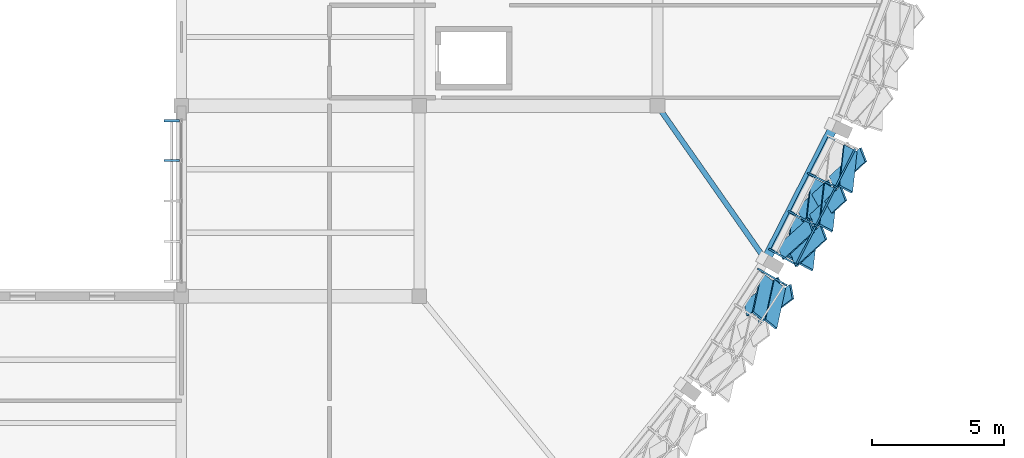
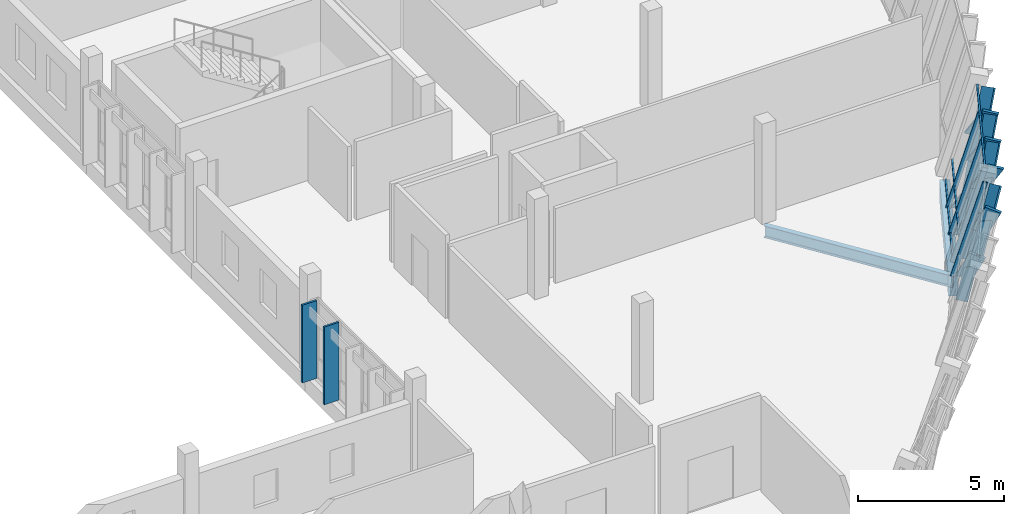
# One storey, part 55 of 94: 23 members, 2 beams, 3 elements without a shape of their own.
"""IFC4 building model written with IfcOpenShell, lengths in metres."""

from ifc_helpers import new_model, si_unit, direction, frame, origin, origin_2d, place, context, subcontext, project, spatial, rectangle, hollow_rectangle, i_section, extrude, material, material_profile, profile_set, type_object, element, aggregate, save


model = new_model("IFC4")

# Units and contexts
model_context = context("Model", 3, precision=1e-05, world=origin(), true_north=direction((0.0, 1.0)))
body_context = subcontext(model_context, "Body", "Model", "MODEL_VIEW")
ifc_project = project(units=[si_unit("LENGTHUNIT", "METRE"), si_unit("AREAUNIT", "SQUARE_METRE"), si_unit("VOLUMEUNIT", "CUBIC_METRE"), si_unit("PLANEANGLEUNIT", "RADIAN"), si_unit("MASSUNIT", "GRAM", prefix="KILO")], contexts=[model_context])

# Site, building, storey
site_placement = place(None, origin())
site = spatial("IfcSite", under=ifc_project, at=site_placement, CompositionType="ELEMENT")
building_placement = place(site_placement, origin())
building = spatial("IfcBuilding", under=site, at=building_placement, Name="Chiffa Square Polytechnic", CompositionType="ELEMENT")
storey_placement = place(building_placement, frame((0.0, 0.0, 18.0)))
storey = spatial("IfcBuildingStorey", under=building, at=storey_placement, Name="L04", CompositionType="ELEMENT", Elevation=18.0)

# Beam
ifc_material_1 = material(Name="Steel S355", Category="steel")
ifc_material_profile_1 = material_profile(ifc_material_1, i_section(OverallWidth=0.199951171875, OverallDepth=0.5, WebThickness=0.01025390625, FlangeThickness=0.01611328125, FilletRadius=0.02099609375, at=origin_2d()), Name="IPE 500")
ifc_profile_set_1 = profile_set([ifc_material_profile_1], Name="Steel S355")
beam_type_1 = type_object("IfcBeamType", Name="BM-STL-IPE500", PredefinedType="BEAM", material=ifc_profile_set_1)
beam_1_placement = place(storey_placement, frame((170.2919921875, 30.162109375, -0.489990234375), z_axis=(-0.573981650994, 0.818868160525, 0.0), x_axis=(-0.818868160525, -0.573981650994, 0.0)))
element("IfcBeam", 1, at=beam_1_placement, inside=storey, type_object=beam_type_1, Name="Prow radial tie girder BM-V1-RAD-L04-13", PredefinedType="BEAM", context=body_context, shape_type="SweptSolid", body=[
    extrude(i_section(OverallWidth=0.199951171875, OverallDepth=0.5, WebThickness=0.01025390625, FlangeThickness=0.01611328125, FilletRadius=0.02099609375, at=origin_2d()), origin(), (0.0, 0.0, 1.0), 7.129150390625),
])

# Curtain wall, member
ifc_material_2 = material(Name="Aluminium EN AW-6060 T66 and glulam shading", Category="wood")
curtain_wall_type_1 = type_object("IfcCurtainWallType", Name="CW-PROW-LEAN-300", PredefinedType="USERDEFINED", material=ifc_material_2)
curtain_wall_1_placement = place(storey_placement, origin())
curtain_wall_1 = element("IfcCurtainWall", 2, at=curtain_wall_1_placement, inside=storey, type_object=curtain_wall_type_1, Name="Outward-leaning diamond-fin prow curtain wall CW-V1-L04-072", ObjectType="CURTAIN WALL", PredefinedType="USERDEFINED")
ifc_material_3 = material(Name="Aluminium EN AW-6060 T66", Category="aluminium")
ifc_material_profile_2 = material_profile(ifc_material_3, hollow_rectangle(XDim=0.06494140625, YDim=0.179931640625, WallThickness=0.00390625, at=origin_2d()), Name="ALU 65x180x4")
ifc_profile_set_2 = profile_set([ifc_material_profile_2], Name="Aluminium EN AW-6060 T66")
member_type_1 = type_object("IfcMemberType", Name="CWM-ALU-75X180", PredefinedType="MULLION", material=ifc_profile_set_2)
member_1_placement = place(storey_placement, frame((170.05810546875, 29.801025390625, 0.0), z_axis=(0.235639542054, -0.136303641988, 0.96223454698), x_axis=(0.500708140311, 0.865616172577, 0.0)))
member_1 = element("IfcMember", 3, at=member_1_placement, type_object=member_type_1, Name="Leaning prow mullion CW-V1-L04-072-M03", PredefinedType="MULLION", context=body_context, shape_type="SweptSolid", body=[
    extrude(hollow_rectangle(XDim=0.06494140625, YDim=0.179931640625, WallThickness=0.00390625, at=origin_2d()), origin(), (0.0, 0.0, 1.0), 4.094482421875),
])

# Curtain wall, members
curtain_wall_type_2 = type_object("IfcCurtainWallType", Name="CW-PROW-LEAN-150", PredefinedType="USERDEFINED", material=ifc_material_2)
curtain_wall_2_placement = place(storey_placement, origin())
curtain_wall_2 = element("IfcCurtainWall", 4, at=curtain_wall_2_placement, inside=storey, type_object=curtain_wall_type_2, Name="Outward-leaning diamond-fin prow curtain wall CW-V1-L04-073", ObjectType="CURTAIN WALL", PredefinedType="USERDEFINED")
member_2_placement = place(storey_placement, frame((170.487060546875, 30.544921875, 0.0), z_axis=(0.235641456738, -0.136245123645, 0.962242365597), x_axis=(0.500543994203, 0.865711100696, 0.0)))
member_2 = element("IfcMember", 5, at=member_2_placement, type_object=member_type_1, Name="Leaning prow mullion CW-V1-L04-073-M00", PredefinedType="MULLION", context=body_context, shape_type="SweptSolid", body=[
    extrude(hollow_rectangle(XDim=0.06494140625, YDim=0.179931640625, WallThickness=0.00390625, at=origin_2d()), origin(), (0.0, 0.0, 1.0), 4.094482421875),
])
member_3_placement = place(storey_placement, frame((171.21826171875, 31.97998046875, 0.0), z_axis=(0.24001396663, -0.127788802606, 0.962321836888), x_axis=(0.469962084526, 0.882686602995, 0.0)))
member_3 = element("IfcMember", 6, at=member_3_placement, type_object=member_type_1, Name="Leaning prow mullion CW-V1-L04-073-M01", PredefinedType="MULLION", context=body_context, shape_type="SweptSolid", body=[
    extrude(hollow_rectangle(XDim=0.06494140625, YDim=0.179931640625, WallThickness=0.00390625, at=origin_2d()), origin(), (0.0, 0.0, 1.0), 4.09423828125),
])
member_4_placement = place(storey_placement, frame((171.94970703125, 33.4150390625, 0.0), z_axis=(0.244307236922, -0.119380787971, 0.962321256884), x_axis=(0.439037061887, 0.898468952324, 0.0)))
member_4 = element("IfcMember", 7, at=member_4_placement, type_object=member_type_1, Name="Leaning prow mullion CW-V1-L04-073-M02", PredefinedType="MULLION", context=body_context, shape_type="SweptSolid", body=[
    extrude(hollow_rectangle(XDim=0.06494140625, YDim=0.179931640625, WallThickness=0.00390625, at=origin_2d()), origin(), (0.0, 0.0, 1.0), 4.09423828125),
])

# Member
ifc_material_4 = material(Name="Glulam GL28h", Category="wood")
ifc_material_profile_3 = material_profile(ifc_material_4, rectangle(XDim=0.080078125, YDim=0.580078125, at=origin_2d()), Name="GL28h 80x580")
ifc_profile_set_3 = profile_set([ifc_material_profile_3], Name="Glulam GL28h")
member_type_2 = type_object("IfcMemberType", Name="CWM-GL-80X580", PredefinedType="MULLION", material=ifc_profile_set_3)
member_5_placement = place(storey_placement, frame((169.552978515625, 28.31396484375, 0.0400390625), z_axis=(0.504925242048, 0.37436487646, 0.777754099453), x_axis=(-0.848349797131, 0.049018467605, 0.527162035375)))
member_5 = element("IfcMember", 8, at=member_5_placement, type_object=member_type_2, Name="Diamond glulam fin CW-V1-L04-072-DF05A", PredefinedType="MULLION", context=body_context, shape_type="SweptSolid", body=[
    extrude(rectangle(XDim=0.080078125, YDim=0.580078125, at=origin_2d()), origin(), (0.0, 0.0, 1.0), 2.4814453125),
])

member_6_placement = place(storey_placement, frame((170.333984375, 29.51708984375, 0.0400390625), z_axis=(-0.12923951149, -0.606294113811, 0.784668462619), x_axis=(0.669867214974, 0.530072354663, 0.519905003944)))
member_6 = element("IfcMember", 9, at=member_6_placement, type_object=member_type_2, Name="Diamond glulam fin CW-V1-L04-072-DF05B", PredefinedType="MULLION", context=body_context, shape_type="SweptSolid", body=[
    extrude(rectangle(XDim=0.080078125, YDim=0.580078125, at=origin_2d()), origin(), (0.0, 0.0, 1.0), 2.45947265625),
])

member_7_placement = place(storey_placement, frame((170.01611328125, 28.02587890625, 1.969970703125), z_axis=(0.506619940099, 0.378225256112, 0.774778608335), x_axis=(-0.846507670858, 0.047704385738, 0.530234905263)))
member_7 = element("IfcMember", 10, at=member_7_placement, type_object=member_type_2, Name="Diamond glulam fin CW-V1-L04-072-DF06A", PredefinedType="MULLION", context=body_context, shape_type="SweptSolid", body=[
    extrude(rectangle(XDim=0.080078125, YDim=0.580078125, at=origin_2d()), origin(), (0.0, 0.0, 1.0), 2.490966796875),
])

member_8_placement = place(storey_placement, frame((170.805908203125, 29.242919921875, 1.969970703125), z_axis=(-0.132401200242, -0.609500372136, 0.781651596647), x_axis=(0.671384938388, 0.524992733671, 0.523091668924)))
member_8 = element("IfcMember", 11, at=member_8_placement, type_object=member_type_2, Name="Diamond glulam fin CW-V1-L04-072-DF06B", PredefinedType="MULLION", context=body_context, shape_type="SweptSolid", body=[
    extrude(rectangle(XDim=0.080078125, YDim=0.580078125, at=origin_2d()), origin(), (0.0, 0.0, 1.0), 2.468994140625),
])

aggregate(curtain_wall_1, [member_1, member_5, member_6, member_7, member_8])

member_9_placement = place(storey_placement, frame((170.87109375, 30.447998046875, 0.0400390625), z_axis=(0.460304043799, 0.414829658108, 0.784879953889), x_axis=(-0.823426733658, -0.130929967134, 0.552110277031)))
member_9 = element("IfcMember", 12, at=member_9_placement, type_object=member_type_2, Name="Diamond glulam fin CW-V1-L04-073-DF01A", PredefinedType="MULLION", context=body_context, shape_type="SweptSolid", body=[
    extrude(rectangle(XDim=0.080078125, YDim=0.580078125, at=origin_2d()), origin(), (0.0, 0.0, 1.0), 2.458984375),
])

member_10_placement = place(storey_placement, frame((171.52197265625, 31.72509765625, 0.0400390625), z_axis=(-0.071733246056, -0.624344919372, 0.77784816196), x_axis=(0.530132020948, 0.636718439958, 0.559955059432)))
member_10 = element("IfcMember", 13, at=member_10_placement, type_object=member_type_2, Name="Diamond glulam fin CW-V1-L04-073-DF01B", PredefinedType="MULLION", context=body_context, shape_type="SweptSolid", body=[
    extrude(rectangle(XDim=0.080078125, YDim=0.580078125, at=origin_2d()), origin(), (0.0, 0.0, 1.0), 2.481201171875),
])

member_11_placement = place(storey_placement, frame((171.343994140625, 30.176025390625, 1.969970703125), z_axis=(0.461716982735, 0.419194322085, 0.781724726605), x_axis=(-0.820857582196, -0.1320714405, 0.555652737198)))
member_11 = element("IfcMember", 14, at=member_11_placement, type_object=member_type_2, Name="Diamond glulam fin CW-V1-L04-073-DF02A", PredefinedType="MULLION", context=body_context, shape_type="SweptSolid", body=[
    extrude(rectangle(XDim=0.080078125, YDim=0.580078125, at=origin_2d()), origin(), (0.0, 0.0, 1.0), 2.46875),
])

member_12_placement = place(storey_placement, frame((172.0029296875, 31.468017578125, 1.969970703125), z_axis=(-0.074176421806, -0.628098895341, 0.774589979356), x_axis=(0.53180106253, 0.632156904276, 0.563529305597)))
member_12 = element("IfcMember", 15, at=member_12_placement, type_object=member_type_2, Name="Diamond glulam fin CW-V1-L04-073-DF02B", PredefinedType="MULLION", context=body_context, shape_type="SweptSolid", body=[
    extrude(rectangle(XDim=0.080078125, YDim=0.580078125, at=origin_2d()), origin(), (0.0, 0.0, 1.0), 2.491455078125),
])

member_13_placement = place(storey_placement, frame((171.60302734375, 31.883056640625, 0.0400390625), z_axis=(0.461487148685, 0.420171743213, 0.781335598705), x_axis=(-0.820414566814, -0.132992874202, 0.556087074091)))
member_13 = element("IfcMember", 16, at=member_13_placement, type_object=member_type_2, Name="Diamond glulam fin CW-V1-L04-073-DF03A", PredefinedType="MULLION", context=body_context, shape_type="SweptSolid", body=[
    extrude(rectangle(XDim=0.080078125, YDim=0.580078125, at=origin_2d()), origin(), (0.0, 0.0, 1.0), 2.469970703125),
])

member_14_placement = place(storey_placement, frame((172.25390625, 33.160888671875, 0.0400390625), z_axis=(-0.068386348097, -0.6205171672, 0.781205320389), x_axis=(0.527508339869, 0.642137452954, 0.556232364109)))
member_14 = element("IfcMember", 17, at=member_14_placement, type_object=member_type_2, Name="Diamond glulam fin CW-V1-L04-073-DF03B", PredefinedType="MULLION", context=body_context, shape_type="SweptSolid", body=[
    extrude(rectangle(XDim=0.080078125, YDim=0.580078125, at=origin_2d()), origin(), (0.0, 0.0, 1.0), 2.470458984375),
])

member_15_placement = place(storey_placement, frame((172.0849609375, 31.6279296875, 1.969970703125), z_axis=(0.462930485051, 0.424238081686, 0.778278495179), x_axis=(-0.817971048444, -0.133810791409, 0.559480148003)))
member_15 = element("IfcMember", 18, at=member_15_placement, type_object=member_type_2, Name="Diamond glulam fin CW-V1-L04-073-DF04A", PredefinedType="MULLION", context=body_context, shape_type="SweptSolid", body=[
    extrude(rectangle(XDim=0.080078125, YDim=0.580078125, at=origin_2d()), origin(), (0.0, 0.0, 1.0), 2.479736328125),
])

member_16_placement = place(storey_placement, frame((172.742919921875, 32.9208984375, 1.969970703125), z_axis=(-0.071363573918, -0.624062149845, 0.778109036992), x_axis=(0.529818793271, 0.637232004041, 0.559667239815)))
member_16 = element("IfcMember", 19, at=member_16_placement, type_object=member_type_2, Name="Diamond glulam fin CW-V1-L04-073-DF04B", PredefinedType="MULLION", context=body_context, shape_type="SweptSolid", body=[
    extrude(rectangle(XDim=0.080078125, YDim=0.580078125, at=origin_2d()), origin(), (0.0, 0.0, 1.0), 2.480224609375),
])

member_17_placement = place(storey_placement, frame((172.824951171875, 33.080078125, 1.969970703125), z_axis=(0.464364499382, 0.429382831038, 0.774594084746), x_axis=(-0.814955069632, -0.135233151907, 0.563524825635)))
member_17 = element("IfcMember", 20, at=member_17_placement, type_object=member_type_2, Name="Diamond glulam fin CW-V1-L04-073-DF06A", PredefinedType="MULLION", context=body_context, shape_type="SweptSolid", body=[
    extrude(rectangle(XDim=0.080078125, YDim=0.580078125, at=origin_2d()), origin(), (0.0, 0.0, 1.0), 2.491455078125),
])

member_18_placement = place(storey_placement, frame((173.48291015625, 34.373046875, 1.969970703125), z_axis=(-0.068026244869, -0.620047356939, 0.781609688503), x_axis=(0.527232072943, 0.642754697263, 0.55578119832)))
member_18 = element("IfcMember", 21, at=member_18_placement, type_object=member_type_2, Name="Diamond glulam fin CW-V1-L04-073-DF06B", PredefinedType="MULLION", context=body_context, shape_type="SweptSolid", body=[
    extrude(rectangle(XDim=0.080078125, YDim=0.580078125, at=origin_2d()), origin(), (0.0, 0.0, 1.0), 2.46923828125),
])

# Curtain wall, members
curtain_wall_type_3 = type_object("IfcCurtainWallType", Name="CW-VERT-600X440", PredefinedType="USERDEFINED", material=ifc_material_2)
curtain_wall_3_placement = place(storey_placement, origin())
curtain_wall_3 = element("IfcCurtainWall", 22, at=curtain_wall_3_placement, inside=storey, type_object=curtain_wall_type_3, Name="Curtain wall CW-V1-L04-137", ObjectType="CURTAIN WALL", PredefinedType="USERDEFINED")
member_19_placement = place(storey_placement, frame((147.827880859375, 35.43505859375, 0.010009765625), z_axis=(0.0, 0.0, 1.0), x_axis=(0.0, -1.0, 0.0)))
member_19 = element("IfcMember", 23, at=member_19_placement, type_object=member_type_2, Name="Exterior glulam solar fin CW-V1-L04-137-FN00", PredefinedType="MULLION", context=body_context, shape_type="SweptSolid", body=[
    extrude(rectangle(XDim=0.080078125, YDim=0.580078125, at=origin_2d()), origin(), (0.0, 0.0, 1.0), 3.2548828125),
])
member_20_placement = place(storey_placement, frame((147.827880859375, 33.929931640625, 0.010009765625), z_axis=(0.0, 0.0, 1.0), x_axis=(0.0, -1.0, 0.0)))
member_20 = element("IfcMember", 24, at=member_20_placement, type_object=member_type_2, Name="Exterior glulam solar fin CW-V1-L04-137-FN01", PredefinedType="MULLION", context=body_context, shape_type="SweptSolid", body=[
    extrude(rectangle(XDim=0.080078125, YDim=0.580078125, at=origin_2d()), origin(), (0.0, 0.0, 1.0), 3.2548828125),
])
aggregate(curtain_wall_3, [member_19, member_20])

# Member
ifc_material_profile_4 = material_profile(ifc_material_3, hollow_rectangle(XDim=0.06494140625, YDim=0.139892578125, WallThickness=0.00390625, at=origin_2d()), Name="ALU 65x140x4")
ifc_profile_set_4 = profile_set([ifc_material_profile_4], Name="Aluminium EN AW-6060 T66")
member_type_3 = type_object("IfcMemberType", Name="CWT-ALU-75X140", PredefinedType="USERDEFINED", material=ifc_profile_set_4)
member_21_placement = place(storey_placement, frame((170.496826171875, 30.539306640625, 0.0400390625), z_axis=(0.454070307154, 0.890965855777, 0.0), x_axis=(-0.890965855777, 0.454070307154, 0.0)))
member_21 = element("IfcMember", 25, at=member_21_placement, type_object=member_type_3, Name="Leaning prow transom CW-V1-L04-073-T01", ObjectType="TRANSOM", PredefinedType="USERDEFINED", context=body_context, shape_type="SweptSolid", body=[
    extrude(hollow_rectangle(XDim=0.06494140625, YDim=0.139892578125, WallThickness=0.00390625, at=origin_2d()), origin(), (0.0, 0.0, 1.0), 4.8330078125),
])

member_22_placement = place(storey_placement, frame((170.6953125, 30.424560546875, 0.85009765625), z_axis=(0.454036464275, 0.890983102594, 0.0), x_axis=(-0.890983102594, 0.454036464275, 0.0)))
member_22 = element("IfcMember", 26, at=member_22_placement, type_object=member_type_3, Name="Leaning prow transom CW-V1-L04-073-T02", ObjectType="TRANSOM", PredefinedType="USERDEFINED", context=body_context, shape_type="SweptSolid", body=[
    extrude(hollow_rectangle(XDim=0.06494140625, YDim=0.139892578125, WallThickness=0.00390625, at=origin_2d()), origin(), (0.0, 0.0, 1.0), 4.857177734375),
])

member_23_placement = place(storey_placement, frame((171.442138671875, 29.99267578125, 3.89990234375), z_axis=(0.454089142621, 0.890956256251, 0.0), x_axis=(-0.890956256251, 0.454089142621, 0.0)))
member_23 = element("IfcMember", 27, at=member_23_placement, type_object=member_type_3, Name="Leaning prow transom CW-V1-L04-073-T03", ObjectType="TRANSOM", PredefinedType="USERDEFINED", context=body_context, shape_type="SweptSolid", body=[
    extrude(hollow_rectangle(XDim=0.06494140625, YDim=0.139892578125, WallThickness=0.00390625, at=origin_2d()), origin(), (0.0, 0.0, 1.0), 4.947509765625),
])

aggregate(curtain_wall_2, [member_2, member_3, member_4, member_21, member_22, member_23, member_9, member_10, member_11, member_12, member_13, member_14, member_15, member_16, member_17, member_18])

# Beam
ifc_material_5 = material(Name="Glulam GL32c", Category="wood")
ifc_material_profile_5 = material_profile(ifc_material_5, rectangle(XDim=0.360107421875, YDim=0.89990234375, at=origin_2d()), Name="GL32c 360x900")
ifc_profile_set_5 = profile_set([ifc_material_profile_5], Name="Glulam GL32c")
beam_type_2 = type_object("IfcBeamType", Name="RB-GL-360X900", PredefinedType="SPANDREL", material=ifc_profile_set_5)
beam_2_placement = place(storey_placement, frame((170.2919921875, 30.162109375, -0.68994140625), z_axis=(0.454029882379, 0.890986456635, 0.0), x_axis=(-0.890986456635, 0.454029882379, 0.0)))
element("IfcBeam", 28, at=beam_2_placement, inside=storey, type_object=beam_type_2, Name="Prow perimeter edge beam RB-V1-PROW-L04-13", PredefinedType="SPANDREL", context=body_context, shape_type="SweptSolid", body=[
    extrude(rectangle(XDim=0.360107421875, YDim=0.89990234375, at=origin_2d()), origin(), (0.0, 0.0, 1.0), 5.691162109375),
])

save(model, "model.ifc")
